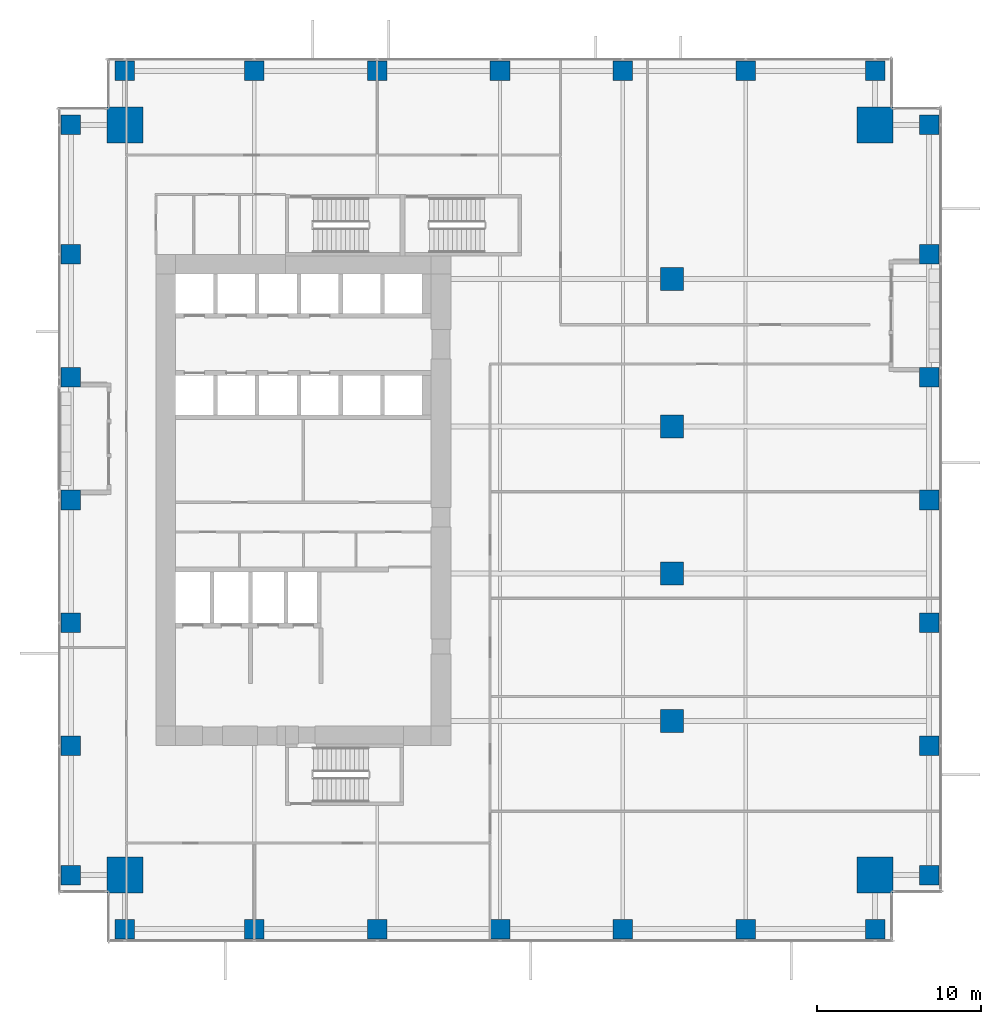
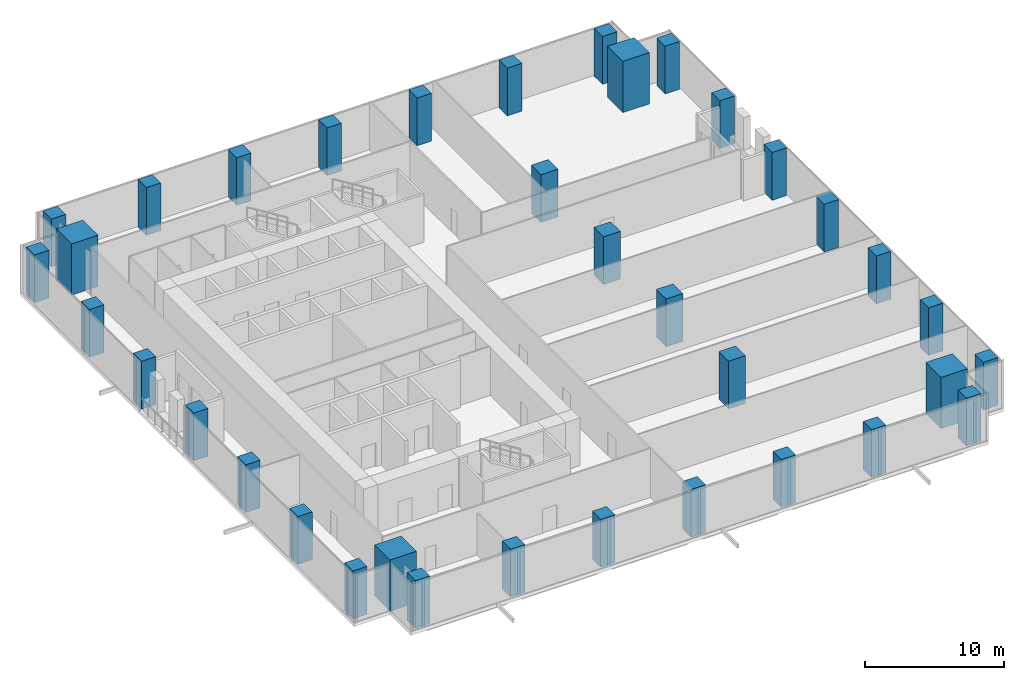
# One storey, part 1 of 32: 36 columns.
"""IFC4 building model written with IfcOpenShell, lengths in metres."""

from ifc_helpers import new_model, si_unit, direction, frame, origin, origin_2d, place, context, subcontext, project, spatial, rectangle, extrude, source, transform, mapped, material, material_profile, profile_set, type_object, element, save


model = new_model("IFC4")

# Units and contexts
model_context = context("Model", 3, precision=1e-05, world=origin(), true_north=direction((0.0, 1.0)))
body_context = subcontext(model_context, "Body", "Model", "MODEL_VIEW")
ifc_project = project(units=[si_unit("LENGTHUNIT", "METRE"), si_unit("AREAUNIT", "SQUARE_METRE"), si_unit("VOLUMEUNIT", "CUBIC_METRE"), si_unit("PLANEANGLEUNIT", "RADIAN"), si_unit("MASSUNIT", "GRAM", prefix="KILO")], contexts=[model_context])

# Site, building, storey
site_placement = place(None, origin())
site = spatial("IfcSite", under=ifc_project, at=site_placement, CompositionType="ELEMENT")
building_placement = place(site_placement, origin())
building = spatial("IfcBuilding", under=site, at=building_placement, Name="Khomas Fold Tower", CompositionType="ELEMENT")
storey_placement = place(building_placement, frame((0.0, 0.0, 64.5)))
storey = spatial("IfcBuildingStorey", under=building, at=storey_placement, Name="L13", CompositionType="ELEMENT", Elevation=64.5)

# Columns
ifc_material_1 = material(Name="Concrete C70/85", Category="concrete")
ifc_material_profile_1 = material_profile(ifc_material_1, rectangle(XDim=2.199951171875, YDim=2.199951171875, at=origin_2d()), Name="RC 2200x2200")
ifc_profile_set_1 = profile_set([ifc_material_profile_1], Name="Concrete C70/85")
column_type_1 = type_object("IfcColumnType", Name="RC 2200x2200 column", PredefinedType="COLUMN", material=ifc_profile_set_1)
shared_shape_1 = source(origin(), body_context, "Body", "SweptSolid", [
    extrude(rectangle(XDim=2.199951171875, YDim=2.199951171875, at=origin_2d()), origin(), (0.0, 0.0, 1.0), 4.5),
])
for number, where, z_axis, x_axis, name in (
    (1, (49.89990234375, 49.89990234375, 0.0), (0.0, 0.0, 1.0), (1.0, 0.0, 0.0), "CM-NE"),
    (2, (4.10009765625, 49.89990234375, 0.0), (0.0, 0.0, 1.0), (1.0, 0.0, 0.0), "CM-NW"),
    (3, (49.89990234375, 4.10009765625, 0.0), (0.0, 0.0, 1.0), (1.0, 0.0, 0.0), "CM-SE"),
    (4, (4.10009765625, 4.10009765625, 0.0), (0.0, 0.0, 1.0), (1.0, 0.0, 0.0), "CM-SW"),
):
    element("IfcColumn", number, at=place(storey_placement, frame(where, z_axis=z_axis, x_axis=x_axis)), inside=storey, type_object=column_type_1, Name=name, PredefinedType="COLUMN", context=body_context, shape_type="MappedRepresentation", body=[
        mapped(shared_shape_1, transform((0.0, 0.0, 0.0))),
    ])
ifc_material_2 = material(Name="Concrete C60/75", Category="concrete")
ifc_material_profile_2 = material_profile(ifc_material_2, rectangle(XDim=1.199951171875, YDim=1.199951171875, at=origin_2d()), Name="RC 1200x1200")
ifc_profile_set_2 = profile_set([ifc_material_profile_2], Name="Concrete C60/75")
column_type_2 = type_object("IfcColumnType", Name="RC 1200x1200 column", PredefinedType="COLUMN", material=ifc_profile_set_2)
shared_shape_2 = source(origin(), body_context, "Body", "SweptSolid", [
    extrude(rectangle(XDim=1.199951171875, YDim=1.199951171875, at=origin_2d()), origin(), (0.0, 0.0, 1.0), 4.199951171875),
])
for number, where, z_axis, x_axis, name in (
    (5, (4.10009765625, 0.800048828125, 0.0), (0.0, 0.0, 1.0), (1.0, 0.0, 0.0), "C-2-SF1"),
    (6, (12.0, 0.800048828125, 0.0), (0.0, 0.0, 1.0), (1.0, 0.0, 0.0), "C-6-SF1"),
    (7, (19.5, 0.800048828125, 0.0), (0.0, 0.0, 1.0), (1.0, 0.0, 0.0), "C-8-SF1"),
    (8, (27.0, 0.800048828125, 0.0), (0.0, 0.0, 1.0), (1.0, 0.0, 0.0), "C-9-SF1"),
    (9, (34.5, 0.800048828125, 0.0), (0.0, 0.0, 1.0), (1.0, 0.0, 0.0), "C-10-SF1"),
    (10, (42.0, 0.800048828125, 0.0), (0.0, 0.0, 1.0), (1.0, 0.0, 0.0), "C-13-SF1"),
    (11, (49.89990234375, 0.800048828125, 0.0), (0.0, 0.0, 1.0), (1.0, 0.0, 0.0), "C-17-SF1"),
    (12, (53.199951171875, 4.10009765625, 0.0), (0.0, 0.0, 1.0), (1.0, 0.0, 0.0), "C-E1-A"),
    (13, (53.199951171875, 12.0, 0.0), (0.0, 0.0, 1.0), (1.0, 0.0, 0.0), "C-E1-F"),
    (14, (53.199951171875, 19.5, 0.0), (0.0, 0.0, 1.0), (1.0, 0.0, 0.0), "C-E1-J"),
    (15, (53.199951171875, 27.0, 0.0), (0.0, 0.0, 1.0), (1.0, 0.0, 0.0), "C-E1-L"),
    (16, (53.199951171875, 34.5, 0.0), (0.0, 0.0, 1.0), (1.0, 0.0, 0.0), "C-E1-N"),
    (17, (53.199951171875, 42.0, 0.0), (0.0, 0.0, 1.0), (1.0, 0.0, 0.0), "C-E1-R"),
    (18, (53.199951171875, 49.89990234375, 0.0), (0.0, 0.0, 1.0), (1.0, 0.0, 0.0), "C-E1-W"),
    (19, (4.10009765625, 53.199951171875, 0.0), (0.0, 0.0, 1.0), (1.0, 0.0, 0.0), "C-2-NF1"),
    (20, (12.0, 53.199951171875, 0.0), (0.0, 0.0, 1.0), (1.0, 0.0, 0.0), "C-6-NF1"),
    (21, (19.5, 53.199951171875, 0.0), (0.0, 0.0, 1.0), (1.0, 0.0, 0.0), "C-8-NF1"),
    (22, (27.0, 53.199951171875, 0.0), (0.0, 0.0, 1.0), (1.0, 0.0, 0.0), "C-9-NF1"),
    (23, (34.5, 53.199951171875, 0.0), (0.0, 0.0, 1.0), (1.0, 0.0, 0.0), "C-10-NF1"),
    (24, (42.0, 53.199951171875, 0.0), (0.0, 0.0, 1.0), (1.0, 0.0, 0.0), "C-13-NF1"),
    (25, (49.89990234375, 53.199951171875, 0.0), (0.0, 0.0, 1.0), (1.0, 0.0, 0.0), "C-17-NF1"),
    (26, (0.800048828125, 4.10009765625, 0.0), (0.0, 0.0, 1.0), (1.0, 0.0, 0.0), "C-W1-A"),
    (27, (0.800048828125, 12.0, 0.0), (0.0, 0.0, 1.0), (1.0, 0.0, 0.0), "C-W1-F"),
    (28, (0.800048828125, 19.5, 0.0), (0.0, 0.0, 1.0), (1.0, 0.0, 0.0), "C-W1-J"),
    (29, (0.800048828125, 27.0, 0.0), (0.0, 0.0, 1.0), (1.0, 0.0, 0.0), "C-W1-L"),
    (30, (0.800048828125, 34.5, 0.0), (0.0, 0.0, 1.0), (1.0, 0.0, 0.0), "C-W1-N"),
    (31, (0.800048828125, 42.0, 0.0), (0.0, 0.0, 1.0), (1.0, 0.0, 0.0), "C-W1-R"),
    (32, (0.800048828125, 49.89990234375, 0.0), (0.0, 0.0, 1.0), (1.0, 0.0, 0.0), "C-W1-W"),
):
    element("IfcColumn", number, at=place(storey_placement, frame(where, z_axis=z_axis, x_axis=x_axis)), inside=storey, type_object=column_type_2, Name=name, PredefinedType="COLUMN", context=body_context, shape_type="MappedRepresentation", body=[
        mapped(shared_shape_2, transform((0.0, 0.0, 0.0))),
    ])
ifc_material_3 = material(Name="Concrete C60/75", Category="concrete")
ifc_material_profile_3 = material_profile(ifc_material_3, rectangle(XDim=1.39990234375, YDim=1.39990234375, at=origin_2d()), Name="RC 1400x1400")
ifc_profile_set_3 = profile_set([ifc_material_profile_3], Name="Concrete C60/75")
column_type_3 = type_object("IfcColumnType", Name="RC 1400x1400 column", PredefinedType="COLUMN", material=ifc_profile_set_3)
shared_shape_3 = source(origin(), body_context, "Body", "SweptSolid", [
    extrude(rectangle(XDim=1.39990234375, YDim=1.39990234375, at=origin_2d()), origin(), (0.0, 0.0, 1.0), 4.199951171875),
])
for number, where, z_axis, x_axis, name in (
    (33, (37.5, 13.5, 0.0), (0.0, 0.0, 1.0), (1.0, 0.0, 0.0), "C-11-H"),
    (34, (37.5, 22.5, 0.0), (0.0, 0.0, 1.0), (1.0, 0.0, 0.0), "C-11-K"),
    (35, (37.5, 31.5, 0.0), (0.0, 0.0, 1.0), (1.0, 0.0, 0.0), "C-11-M"),
    (36, (37.5, 40.5, 0.0), (0.0, 0.0, 1.0), (1.0, 0.0, 0.0), "C-11-P"),
):
    element("IfcColumn", number, at=place(storey_placement, frame(where, z_axis=z_axis, x_axis=x_axis)), inside=storey, type_object=column_type_3, Name=name, PredefinedType="COLUMN", context=body_context, shape_type="MappedRepresentation", body=[
        mapped(shared_shape_3, transform((0.0, 0.0, 0.0))),
    ])

save(model, "model.ifc")
